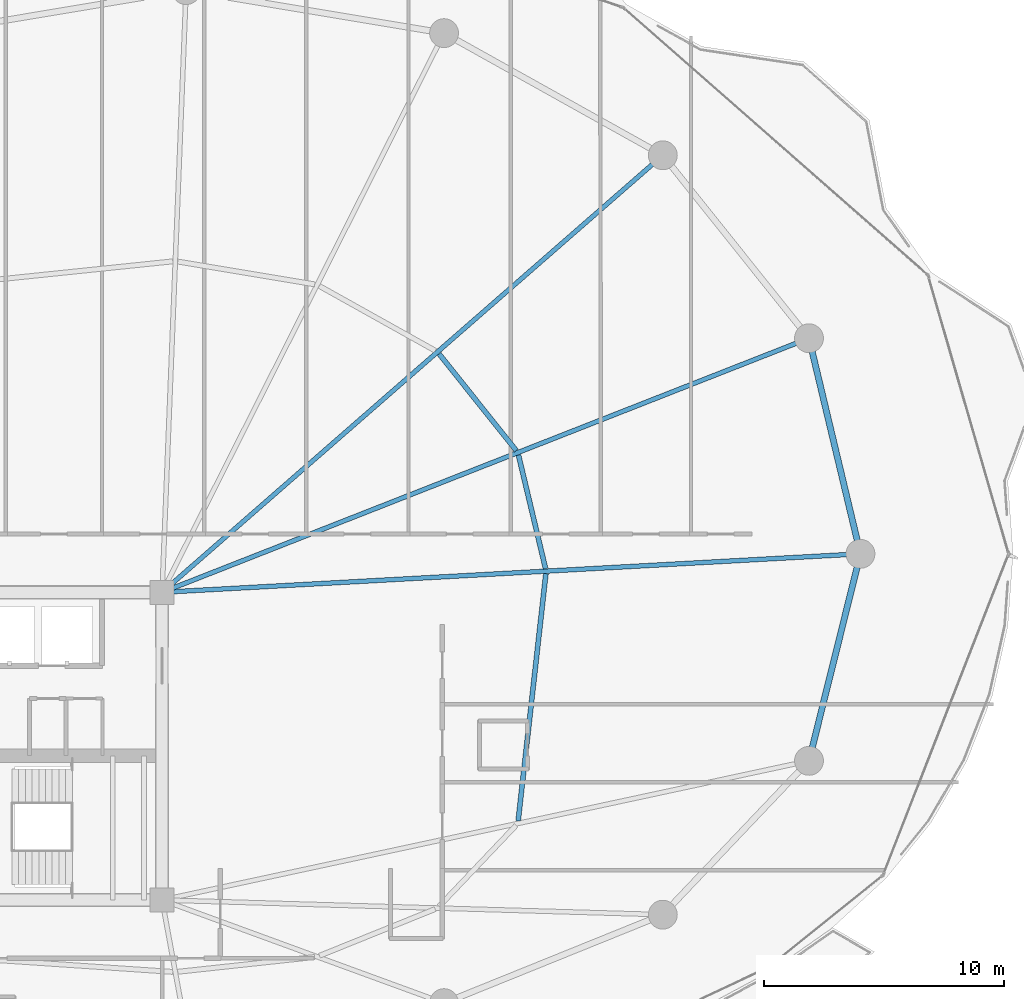
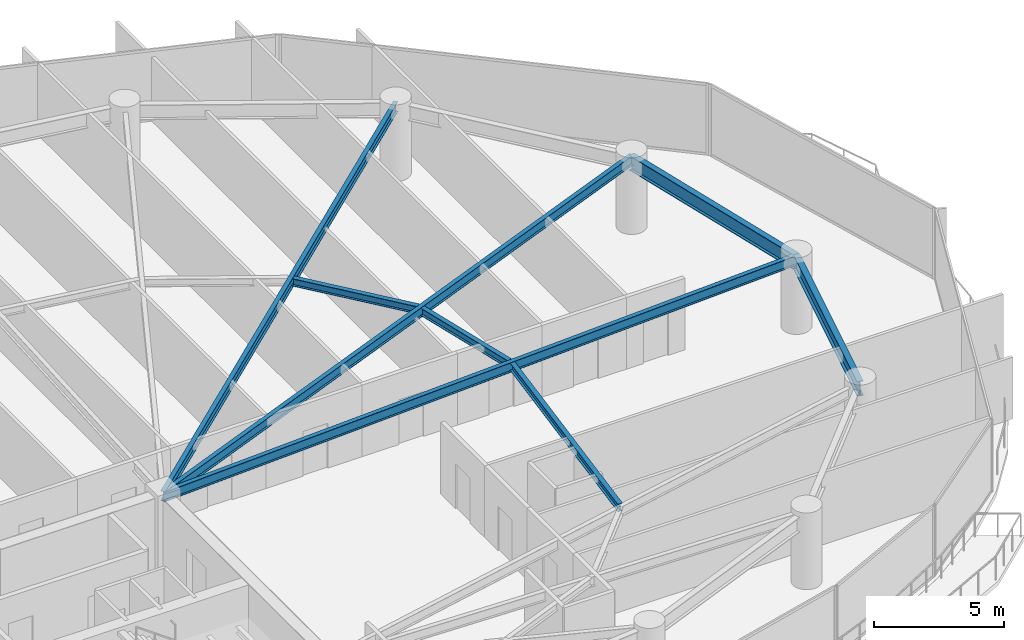
# One storey, part 16 of 34: 8 beams.
"""IFC4 building model written with IfcOpenShell, lengths in metres."""

from ifc_helpers import new_model, si_unit, direction, frame, origin, origin_2d, place, context, subcontext, project, spatial, i_section, extrude, material, material_profile, profile_set, type_object, element, save


model = new_model("IFC4")

# Units and contexts
model_context = context("Model", 3, precision=1e-05, world=origin(), true_north=direction((0.0, 1.0)))
body_context = subcontext(model_context, "Body", "Model", "MODEL_VIEW")
ifc_project = project(units=[si_unit("LENGTHUNIT", "METRE"), si_unit("AREAUNIT", "SQUARE_METRE"), si_unit("VOLUMEUNIT", "CUBIC_METRE"), si_unit("PLANEANGLEUNIT", "RADIAN"), si_unit("MASSUNIT", "GRAM", prefix="KILO")], contexts=[model_context])

# Site, building, storey
site_placement = place(None, origin())
site = spatial("IfcSite", under=ifc_project, at=site_placement, CompositionType="ELEMENT")
building_placement = place(site_placement, origin())
building = spatial("IfcBuilding", under=site, at=building_placement, Name="Kazevale Care Tower and Concert Hall", CompositionType="ELEMENT")
storey_placement = place(building_placement, frame((0.0, 0.0, 163.800048828125)))
storey = spatial("IfcBuildingStorey", under=building, at=storey_placement, Name="L43", CompositionType="ELEMENT", Elevation=163.800048828125)

# Beams
ifc_material = material(Name="Steel ASTM A572 Gr 50", Category="steel")
ifc_material_profile_1 = material_profile(ifc_material, i_section(OverallWidth=0.19091796875, OverallDepth=0.4599609375, WebThickness=0.010009765625, FlangeThickness=0.01611328125, at=origin_2d()), Name="W460x82")
ifc_profile_set_1 = profile_set([ifc_material_profile_1], Name="Steel ASTM A572 Gr 50")
beam_type_1 = type_object("IfcBeamType", Name="Radial Floor Beam W460x82", PredefinedType="BEAM", material=ifc_profile_set_1)
beam_1_placement = place(storey_placement, frame((44.0, 36.39990234375, 3.1298828125), z_axis=(0.998486500016, 0.054997357076, 0.0), x_axis=(-0.054997357076, 0.998486500016, 0.0)))
element("IfcBeam", 1, at=beam_1_placement, inside=storey, type_object=beam_type_1, Name="beam:L43:rad:01", PredefinedType="BEAM", context=body_context, shape_type="SweptSolid", body=[
    extrude(i_section(OverallWidth=0.19091796875, OverallDepth=0.4599609375, WebThickness=0.010009765625, FlangeThickness=0.01611328125, at=origin_2d()), origin(), (0.0, 0.0, 1.0), 29.093994140625),
])
beam_2_placement = place(storey_placement, frame((44.0, 36.39990234375, 3.1298828125), z_axis=(0.930771301513, 0.36560194786, 0.0), x_axis=(-0.36560194786, 0.930771301513, 0.0)))
element("IfcBeam", 2, at=beam_2_placement, inside=storey, type_object=beam_type_1, Name="beam:L43:rad:02", PredefinedType="BEAM", context=body_context, shape_type="SweptSolid", body=[
    extrude(i_section(OverallWidth=0.19091796875, OverallDepth=0.4599609375, WebThickness=0.010009765625, FlangeThickness=0.01611328125, at=origin_2d()), origin(), (0.0, 0.0, 1.0), 28.911376953125),
])
beam_3_placement = place(storey_placement, frame((44.0, 36.39990234375, 3.1298828125), z_axis=(0.753403181998, 0.657558853149, 0.0), x_axis=(-0.657558853149, 0.753403181998, 0.0)))
element("IfcBeam", 3, at=beam_3_placement, inside=storey, type_object=beam_type_1, Name="beam:L43:rad:03", PredefinedType="BEAM", context=body_context, shape_type="SweptSolid", body=[
    extrude(i_section(OverallWidth=0.19091796875, OverallDepth=0.4599609375, WebThickness=0.010009765625, FlangeThickness=0.01611328125, at=origin_2d()), origin(), (0.0, 0.0, 1.0), 27.64794921875),
])
ifc_material_profile_2 = material_profile(ifc_material, i_section(OverallWidth=0.205078125, OverallDepth=0.35400390625, WebThickness=0.009521484375, FlangeThickness=0.016845703125, at=origin_2d()), Name="W360x79")
ifc_profile_set_2 = profile_set([ifc_material_profile_2], Name="Steel ASTM A572 Gr 50")
beam_type_2 = type_object("IfcBeamType", Name="Secondary Floor Joist W360x79", PredefinedType="JOIST", material=ifc_profile_set_2)
beam_4_placement = place(storey_placement, frame((59.952880859375, 37.382080078125, 3.182861328125), z_axis=(-0.232005223279, 0.972714540023, 0.0), x_axis=(-0.972714540023, -0.232005223279, 0.0)))
element("IfcBeam", 4, at=beam_4_placement, inside=storey, type_object=beam_type_2, Name="beam:L43:joist:01", PredefinedType="JOIST", context=body_context, shape_type="SweptSolid", body=[
    extrude(i_section(OverallWidth=0.205078125, OverallDepth=0.35400390625, WebThickness=0.009521484375, FlangeThickness=0.016845703125, at=origin_2d()), origin(), (0.0, 0.0, 1.0), 4.861572265625),
])
beam_5_placement = place(storey_placement, frame((58.735107421875, 42.2958984375, 3.182861328125), z_axis=(-0.624261115922, 0.781215757104, 0.0), x_axis=(-0.781215757104, -0.624261115922, 0.0)))
element("IfcBeam", 5, at=beam_5_placement, inside=storey, type_object=beam_type_2, Name="beam:L43:joist:02", PredefinedType="JOIST", context=body_context, shape_type="SweptSolid", body=[
    extrude(i_section(OverallWidth=0.205078125, OverallDepth=0.35400390625, WebThickness=0.009521484375, FlangeThickness=0.016845703125, at=origin_2d()), origin(), (0.0, 0.0, 1.0), 5.147216796875),
])
beam_6_placement = place(storey_placement, frame((58.81201171875, 26.888916015625, 3.182861328125), z_axis=(0.111485011105, 0.993766115491, 0.0), x_axis=(-0.993766115491, 0.111485011105, 0.0)))
element("IfcBeam", 6, at=beam_6_placement, inside=storey, type_object=beam_type_2, Name="beam:L43:joist:16", PredefinedType="JOIST", context=body_context, shape_type="SweptSolid", body=[
    extrude(i_section(OverallWidth=0.205078125, OverallDepth=0.35400390625, WebThickness=0.009521484375, FlangeThickness=0.016845703125, at=origin_2d()), origin(), (0.0, 0.0, 1.0), 10.3515625),
])
ifc_material_profile_3 = material_profile(ifc_material, i_section(OverallWidth=0.256103515625, OverallDepth=0.693115234375, WebThickness=0.014404296875, FlangeThickness=0.023681640625, at=origin_2d()), Name="W690x170")
ifc_profile_set_3 = profile_set([ifc_material_profile_3], Name="Steel ASTM A572 Gr 50")
beam_type_3 = type_object("IfcBeamType", Name="Waist Ring Beam W690x170", PredefinedType="BEAM", material=ifc_profile_set_3)
beam_7_placement = place(storey_placement, frame((73.050048828125, 38.0, 3.013427734375), z_axis=(-0.232075055882, 0.972697881378, 0.0), x_axis=(-0.972697881378, -0.232075055882, 0.0)))
element("IfcBeam", 7, at=beam_7_placement, inside=storey, type_object=beam_type_3, Name="beam:L43:ring:01", PredefinedType="BEAM", context=body_context, shape_type="SweptSolid", body=[
    extrude(i_section(OverallWidth=0.256103515625, OverallDepth=0.693115234375, WebThickness=0.014404296875, FlangeThickness=0.023681640625, at=origin_2d()), origin(), (0.0, 0.0, 1.0), 9.2216796875),
])
beam_8_placement = place(storey_placement, frame((70.909912109375, 29.389892578125, 3.013427734375), z_axis=(0.241221022882, 0.970470204653, 0.0), x_axis=(-0.970470204653, 0.241221022882, 0.0)))
element("IfcBeam", 8, at=beam_8_placement, inside=storey, type_object=beam_type_3, Name="beam:L43:ring:16", PredefinedType="BEAM", context=body_context, shape_type="SweptSolid", body=[
    extrude(i_section(OverallWidth=0.256103515625, OverallDepth=0.693115234375, WebThickness=0.014404296875, FlangeThickness=0.023681640625, at=origin_2d()), origin(), (0.0, 0.0, 1.0), 8.8720703125),
])

save(model, "model.ifc")
